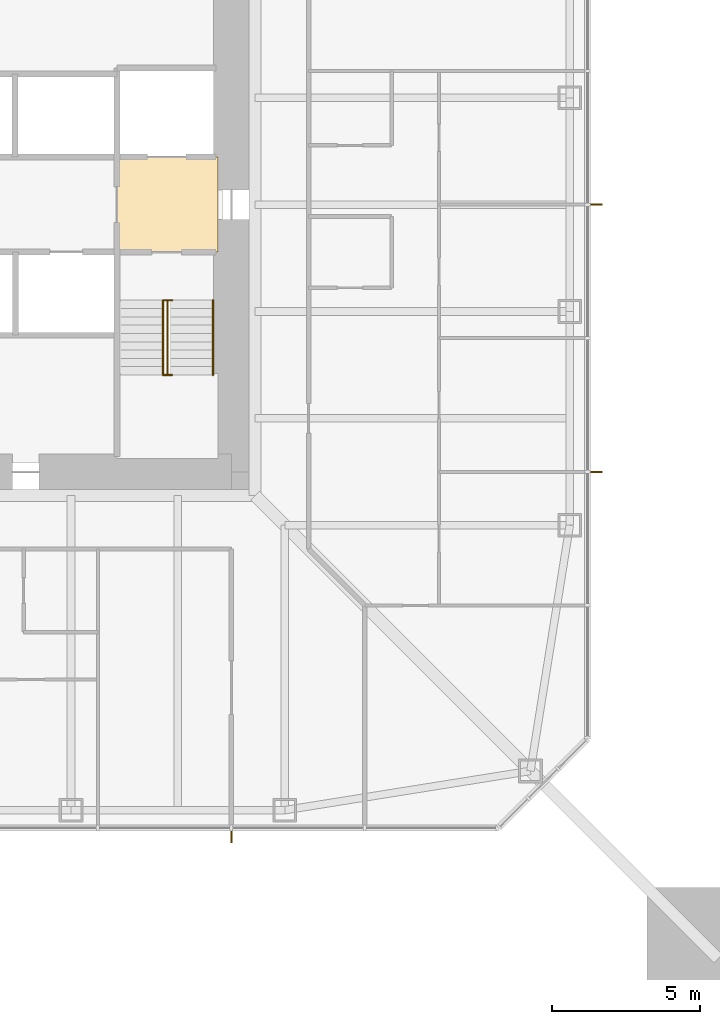
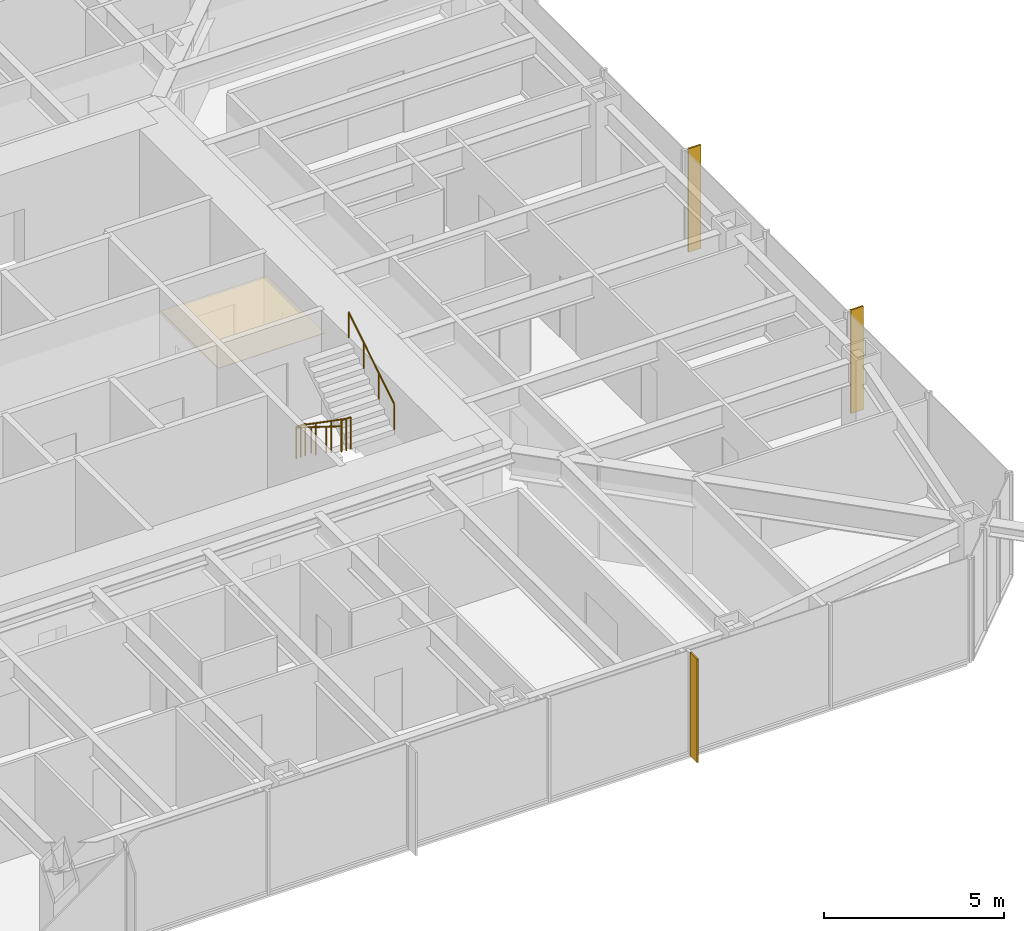
# One storey, part 23 of 25: 3 railings, 3 shading devices, 1 covering.
"""IFC4 building model written with IfcOpenShell, lengths in metres."""

from ifc_helpers import new_model, si_unit, direction, frame, origin, origin_2d, place, context, subcontext, project, spatial, polyline, rectangle, circle, outline, extrude, material, layer, layer_set, constituent, constituent_set, type_object, element, save


model = new_model("IFC4")

# Units and contexts
model_context = context("Model", 3, precision=1e-05, world=origin(), true_north=direction((0.0, 1.0)))
body_context = subcontext(model_context, "Body", "Model", "MODEL_VIEW")
ifc_project = project(units=[si_unit("LENGTHUNIT", "METRE"), si_unit("AREAUNIT", "SQUARE_METRE"), si_unit("VOLUMEUNIT", "CUBIC_METRE"), si_unit("PLANEANGLEUNIT", "RADIAN"), si_unit("MASSUNIT", "GRAM", prefix="KILO")], contexts=[model_context])

# Site, building, storey
site_placement = place(None, origin())
site = spatial("IfcSite", under=ifc_project, at=site_placement, CompositionType="ELEMENT")
building_placement = place(site_placement, origin())
building = spatial("IfcBuilding", under=site, at=building_placement, Name="Iwan Alto Co-Living Towers", CompositionType="ELEMENT")
storey_placement = place(building_placement, frame((0.0, 0.0, 119.0)))
storey = spatial("IfcBuildingStorey", under=building, at=storey_placement, Name="L32", CompositionType="ELEMENT", Elevation=119.0)

# Covering
ifc_material_1 = material(Name="Mineral fibre acoustic tiles on steel grid", Category="steel")
ifc_layer_1 = layer(ifc_material_1, 0.02001953125)
ifc_layer_set_1 = layer_set([ifc_layer_1], Name="ACOUSTIC TILE CEILING 20")
covering_type = type_object("IfcCoveringType", Name="ACOUSTIC TILE CEILING 20", PredefinedType="CEILING", material=ifc_layer_set_1)
covering_placement = place(storey_placement, frame((0.0, 0.0, 2.60009765625)))
element("IfcCovering", 1, at=covering_placement, inside=storey, type_object=covering_type, Name="Ceiling Firefighting lobby L32", PredefinedType="CEILING", context=body_context, shape_type="SweptSolid", body=[
    extrude(outline(polyline([(5.14990234375, -1.60009765625), (5.14990234375, 1.60009765625), (8.550048828125, 1.60009765625), (8.550048828125, -1.60009765625), (5.14990234375, -1.60009765625)])), origin(), (0.0, 0.0, 1.0), 0.02001953125),
])

# Shading devices
ifc_material_2 = material(Name="Aluminium 6063-T6 bronze anodised", Category="aluminium")
ifc_layer_2 = layer(ifc_material_2, 0.050048828125)
ifc_layer_set_2 = layer_set([ifc_layer_2], Name="BRONZE FIN 50X400")
shading_device_type = type_object("IfcShadingDeviceType", Name="BRONZE FIN 50X400", PredefinedType="USERDEFINED", material=ifc_layer_set_2)
for number, where, z_axis, x_axis, name in (
    (2, (9.0, -21.300048828125, 0.0), (0.0, 0.0, 1.0), (1.0, 0.0, 0.0), "Bronze fin L32"),
    (3, (21.300048828125, -9.0, 0.0), (0.0, 0.0, 1.0), (0.0, 1.0, 0.0), "Bronze fin L32"),
    (4, (21.300048828125, 0.0, 0.0), (0.0, 0.0, 1.0), (0.0, 1.0, 0.0), "Bronze fin L32"),
):
    element("IfcShadingDevice", number, at=place(storey_placement, frame(where, z_axis=z_axis, x_axis=x_axis)), inside=storey, type_object=shading_device_type, Name=name, ObjectType="LOUVER", PredefinedType="USERDEFINED", context=body_context, shape_type="SweptSolid", body=[
        extrude(rectangle(XDim=0.050048828125, YDim=0.39990234375, at=origin_2d()), origin(), (0.0, 0.0, 1.0), 3.5),
    ])

# Railings
ifc_material_3 = material(Name="Steel ASTM A500 Gr C", Category="steel")
ifc_constituent_1 = constituent(ifc_material_3, Name="Rails and posts", Category="Framing")
ifc_material_4 = material(Name="Steel ASTM A36", Category="steel")
ifc_constituent_2 = constituent(ifc_material_4, Name="Bar infill", Category="Infill")
ifc_constituent_set = constituent_set(constituents=[ifc_constituent_1, ifc_constituent_2], Name="STAIR GUARD 1100")
railing_type_1 = type_object("IfcRailingType", Name="STAIR GUARD 1100", PredefinedType="GUARDRAIL", material=ifc_constituent_set)
railing_1_placement = place(storey_placement, frame((6.85009765625, -3.219970703125, 0.0)))
element("IfcRailing", 5, at=railing_1_placement, inside=storey, type_object=railing_type_1, Name="Stair T1-S2 well guard L32", PredefinedType="GUARDRAIL", context=body_context, shape_type="SweptSolid", body=[
    extrude(circle(Radius=0.02392578125, at=origin_2d()), frame((0.0, 0.0, 1.076171875), z_axis=(0.0, -0.821372036852, 0.570392826987), x_axis=(1.0, 0.0, 0.0)), (0.0, 0.0, 1.0), 3.068115234375),
    extrude(circle(Radius=0.02392578125, at=origin_2d()), frame((-0.150146484375, 0.0, 1.076171875), z_axis=(1.0, 0.0, 0.0), x_axis=(0.0, 1.0, 0.0)), (0.0, 0.0, 1.0), 0.300048828125),
    extrude(circle(Radius=0.02392578125, at=origin_2d()), frame((-0.150146484375, -2.52001953125, 2.826171875), z_axis=(1.0, 0.0, 0.0), x_axis=(0.0, 1.0, 0.0)), (0.0, 0.0, 1.0), 0.300048828125),
    extrude(circle(Radius=0.02099609375, at=origin_2d()), origin(), (0.0, 0.0, 1.0), 1.052001953125),
    extrude(circle(Radius=0.02099609375, at=origin_2d()), frame((0.0, -0.840087890625, 0.583251953125)), (0.0, 0.0, 1.0), 1.052001953125),
    extrude(circle(Radius=0.02099609375, at=origin_2d()), frame((0.0, -1.679931640625, 1.166748046875)), (0.0, 0.0, 1.0), 1.052001953125),
    extrude(circle(Radius=0.02099609375, at=origin_2d()), frame((0.0, -2.52001953125, 1.75)), (0.0, 0.0, 1.0), 1.052001953125),
    extrude(circle(Radius=0.02099609375, at=origin_2d()), frame((-0.150146484375, 0.0, 0.0)), (0.0, 0.0, 1.0), 1.052001953125),
    extrude(circle(Radius=0.02099609375, at=origin_2d()), frame((0.14990234375, 0.0, 0.0)), (0.0, 0.0, 1.0), 1.052001953125),
    extrude(circle(Radius=0.02099609375, at=origin_2d()), frame((-0.150146484375, -2.52001953125, 1.75)), (0.0, 0.0, 1.0), 1.052001953125),
    extrude(circle(Radius=0.02099609375, at=origin_2d()), frame((0.14990234375, -2.52001953125, 1.75)), (0.0, 0.0, 1.0), 1.052001953125),
])
ifc_material_5 = material(Name="Steel ASTM A500 Gr C", Category="steel")
railing_type_2 = type_object("IfcRailingType", Name="STAIR HANDRAIL 900", PredefinedType="HANDRAIL", material=ifc_material_5)
railing_2_placement = place(storey_placement, frame((6.699951171875, -3.219970703125, 0.175048828125)))
element("IfcRailing", 6, at=railing_2_placement, inside=storey, type_object=railing_type_2, Name="Stair T1-S2 handrail 1 L32", PredefinedType="HANDRAIL", context=body_context, shape_type="SweptSolid", body=[
    extrude(circle(Radius=0.02392578125, at=origin_2d()), frame((0.0, 0.0, 0.8759765625), z_axis=(0.0, -0.848007534815, 0.529984170421), x_axis=(1.0, 0.0, 0.0)), (0.0, 0.0, 1.0), 2.9716796875),
    extrude(circle(Radius=0.02099609375, at=origin_2d()), origin(), (0.0, 0.0, 1.0), 0.851806640625),
    extrude(circle(Radius=0.02099609375, at=origin_2d()), frame((0.0, -0.840087890625, 0.52490234375)), (0.0, 0.0, 1.0), 0.851806640625),
    extrude(circle(Radius=0.02099609375, at=origin_2d()), frame((0.0, -1.679931640625, 1.050048828125)), (0.0, 0.0, 1.0), 0.851806640625),
    extrude(circle(Radius=0.02099609375, at=origin_2d()), frame((0.0, -2.52001953125, 1.574951171875)), (0.0, 0.0, 1.0), 0.851806640625),
])
railing_3_placement = place(storey_placement, frame((8.3798828125, -5.739990234375, 1.925048828125)))
element("IfcRailing", 7, at=railing_3_placement, inside=storey, type_object=railing_type_2, Name="Stair T1-S2 handrail 2 L32", PredefinedType="HANDRAIL", context=body_context, shape_type="SweptSolid", body=[
    extrude(circle(Radius=0.02392578125, at=origin_2d()), frame((0.0, 0.0, 0.8759765625), z_axis=(0.0, 0.848007534815, 0.529984170421), x_axis=(-1.0, 0.0, 0.0)), (0.0, 0.0, 1.0), 2.9716796875),
    extrude(circle(Radius=0.02099609375, at=origin_2d()), origin(), (0.0, 0.0, 1.0), 0.851806640625),
    extrude(circle(Radius=0.02099609375, at=origin_2d()), frame((0.0, 0.840087890625, 0.52490234375)), (0.0, 0.0, 1.0), 0.851806640625),
    extrude(circle(Radius=0.02099609375, at=origin_2d()), frame((0.0, 1.679931640625, 1.050048828125)), (0.0, 0.0, 1.0), 0.851806640625),
    extrude(circle(Radius=0.02099609375, at=origin_2d()), frame((0.0, 2.52001953125, 1.574951171875)), (0.0, 0.0, 1.0), 0.851806640625),
])

save(model, "model.ifc")
